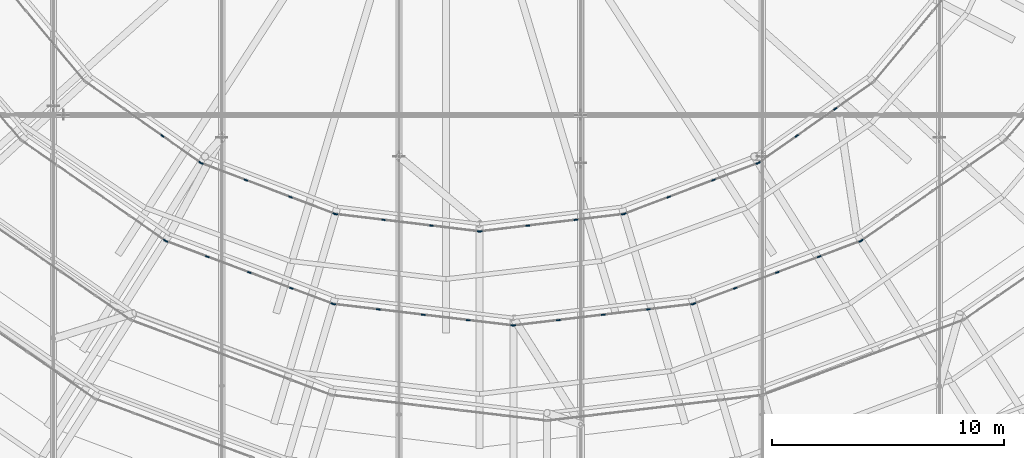
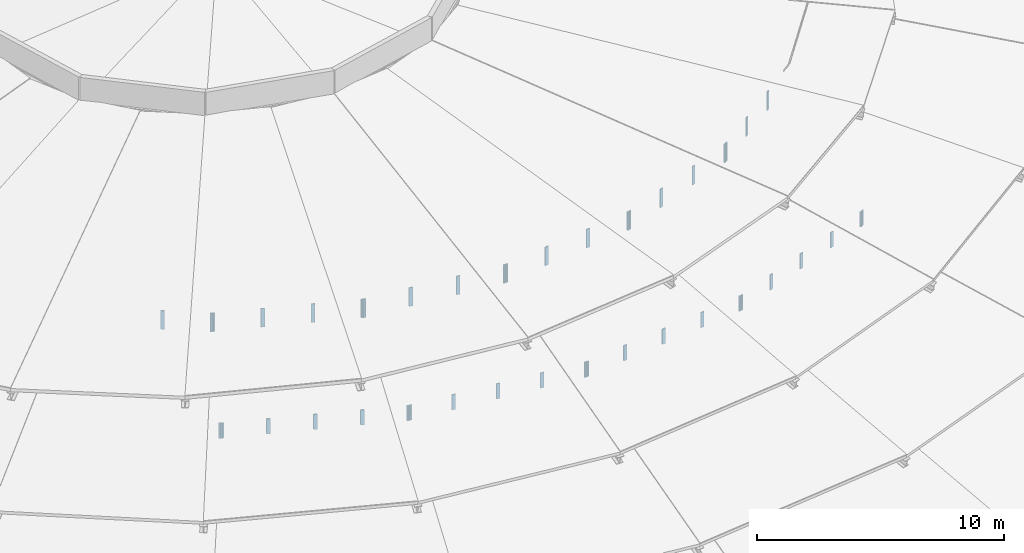
# One storey, part 127 of 173: 43 members, 12 elements without a shape of their own.
"""IFC4 building model written with IfcOpenShell, lengths in metres."""

from ifc_helpers import new_model, si_unit, direction, frame, origin, origin_2d, place, context, subcontext, project, spatial, rectangle, extrude, material, material_profile, profile_set, type_object, element, aggregate, save


model = new_model("IFC4")

# Units and contexts
model_context = context("Model", 3, precision=1e-05, world=origin(), true_north=direction((0.0, 1.0)))
body_context = subcontext(model_context, "Body", "Model", "MODEL_VIEW")
ifc_project = project(units=[si_unit("LENGTHUNIT", "METRE"), si_unit("AREAUNIT", "SQUARE_METRE"), si_unit("VOLUMEUNIT", "CUBIC_METRE"), si_unit("PLANEANGLEUNIT", "RADIAN"), si_unit("MASSUNIT", "GRAM", prefix="KILO")], contexts=[model_context])

# Site, building, storey
site_placement = place(None, origin())
site = spatial("IfcSite", under=ifc_project, at=site_placement, CompositionType="ELEMENT")
building_placement = place(site_placement, origin())
building = spatial("IfcBuilding", under=site, at=building_placement, Name="Glasvene Arena", CompositionType="ELEMENT")
storey_placement = place(building_placement, frame((0.0, 0.0, 28.800048828125)))
storey = spatial("IfcBuildingStorey", under=building, at=storey_placement, Name="RF", CompositionType="ELEMENT", Elevation=28.800048828125)

# Curtain wall, member
ifc_material_1 = material(Name="Low-emissivity laminated double glazing", Category="glass")
curtain_wall_type_1 = type_object("IfcCurtainWallType", Name="CW-PET3-756x75", PredefinedType="USERDEFINED", material=ifc_material_1)
curtain_wall_1_placement = place(storey_placement, frame((67.922119140625, 51.466796875, 0.0)))
curtain_wall_1 = element("IfcCurtainWall", 1, at=curtain_wall_1_placement, inside=storey, type_object=curtain_wall_type_1, Name="Petal ring 3-4 clerestory curtain wall 16", ObjectType="CURTAIN WALL", PredefinedType="USERDEFINED")
ifc_material_2 = material(Name="Anodised architectural aluminium", Category="aluminium")
ifc_material_profile = material_profile(ifc_material_2, rectangle(XDim=0.050048828125, YDim=0.159912109375, at=origin_2d()), Name="ALU MULLION 50x160")
ifc_profile_set = profile_set([ifc_material_profile], Name="Anodised architectural aluminium")
member_type = type_object("IfcMemberType", Name="CW-MUL-150", PredefinedType="MULLION", material=ifc_profile_set)
member_1_placement = place(storey_placement, frame((74.1044921875, 47.158447265625, 7.829833984375), z_axis=(0.0, 0.0, 1.0), x_axis=(0.571742483725, 0.82043313701, 0.0)))
member_1 = element("IfcMember", 2, at=member_1_placement, type_object=member_type, Name="CW-096 mullion 5", PredefinedType="MULLION", context=body_context, shape_type="SweptSolid", body=[
    extrude(rectangle(XDim=0.050048828125, YDim=0.159912109375, at=origin_2d()), origin(), (0.0, 0.0, 1.0), 0.75),
])
aggregate(curtain_wall_1, [member_1])

# Curtain wall, members
curtain_wall_type_2 = type_object("IfcCurtainWallType", Name="CW-PET3-772x75", PredefinedType="USERDEFINED", material=ifc_material_1)
curtain_wall_2_placement = place(storey_placement, frame((74.125, 47.14404296875, 0.0)))
curtain_wall_2 = element("IfcCurtainWall", 3, at=curtain_wall_2_placement, inside=storey, type_object=curtain_wall_type_2, Name="Petal ring 3-4 clerestory curtain wall 17", ObjectType="CURTAIN WALL", PredefinedType="USERDEFINED")
member_2_placement = place(storey_placement, frame((74.1484375, 47.13525390625, 7.829833984375), z_axis=(0.0, 0.0, 1.0), x_axis=(0.352091687007, 0.93596551429, 0.0)))
member_2 = element("IfcMember", 4, at=member_2_placement, type_object=member_type, Name="CW-097 mullion 1", PredefinedType="MULLION", context=body_context, shape_type="SweptSolid", body=[
    extrude(rectangle(XDim=0.050048828125, YDim=0.159912109375, at=origin_2d()), origin(), (0.0, 0.0, 1.0), 0.75),
])
member_3_placement = place(storey_placement, frame((75.930908203125, 46.46484375, 7.829833984375), z_axis=(0.0, 0.0, 1.0), x_axis=(0.352091687007, 0.93596551429, 0.0)))
member_3 = element("IfcMember", 5, at=member_3_placement, type_object=member_type, Name="CW-097 mullion 2", PredefinedType="MULLION", context=body_context, shape_type="SweptSolid", body=[
    extrude(rectangle(XDim=0.050048828125, YDim=0.159912109375, at=origin_2d()), origin(), (0.0, 0.0, 1.0), 0.75),
])
member_4_placement = place(storey_placement, frame((77.73681640625, 45.785400390625, 7.829833984375), z_axis=(0.0, 0.0, 1.0), x_axis=(0.352091687007, 0.93596551429, 0.0)))
member_4 = element("IfcMember", 6, at=member_4_placement, type_object=member_type, Name="CW-097 mullion 3", PredefinedType="MULLION", context=body_context, shape_type="SweptSolid", body=[
    extrude(rectangle(XDim=0.050048828125, YDim=0.159912109375, at=origin_2d()), origin(), (0.0, 0.0, 1.0), 0.75),
])
member_5_placement = place(storey_placement, frame((79.54248046875, 45.106201171875, 7.829833984375), z_axis=(0.0, 0.0, 1.0), x_axis=(0.352091687007, 0.93596551429, 0.0)))
member_5 = element("IfcMember", 7, at=member_5_placement, type_object=member_type, Name="CW-097 mullion 4", PredefinedType="MULLION", context=body_context, shape_type="SweptSolid", body=[
    extrude(rectangle(XDim=0.050048828125, YDim=0.159912109375, at=origin_2d()), origin(), (0.0, 0.0, 1.0), 0.75),
])
member_6_placement = place(storey_placement, frame((81.324951171875, 44.435546875, 7.829833984375), z_axis=(0.0, 0.0, 1.0), x_axis=(0.352091687007, 0.93596551429, 0.0)))
member_6 = element("IfcMember", 8, at=member_6_placement, type_object=member_type, Name="CW-097 mullion 5", PredefinedType="MULLION", context=body_context, shape_type="SweptSolid", body=[
    extrude(rectangle(XDim=0.050048828125, YDim=0.159912109375, at=origin_2d()), origin(), (0.0, 0.0, 1.0), 0.75),
])
aggregate(curtain_wall_2, [member_2, member_3, member_4, member_5, member_6])

curtain_wall_type_3 = type_object("IfcCurtainWallType", Name="CW-PET3-781x75", PredefinedType="USERDEFINED", material=ifc_material_1)
curtain_wall_3_placement = place(storey_placement, frame((81.348388671875, 44.4267578125, 0.0)))
curtain_wall_3 = element("IfcCurtainWall", 9, at=curtain_wall_3_placement, inside=storey, type_object=curtain_wall_type_3, Name="Petal ring 3-4 clerestory curtain wall 18", ObjectType="CURTAIN WALL", PredefinedType="USERDEFINED")
member_7_placement = place(storey_placement, frame((81.373291015625, 44.423828125, 7.829833984375), z_axis=(0.0, 0.0, 1.0), x_axis=(0.11871688488, 0.992928145056, 0.0)))
member_7 = element("IfcMember", 10, at=member_7_placement, type_object=member_type, Name="CW-098 mullion 1", PredefinedType="MULLION", context=body_context, shape_type="SweptSolid", body=[
    extrude(rectangle(XDim=0.050048828125, YDim=0.159912109375, at=origin_2d()), origin(), (0.0, 0.0, 1.0), 0.75),
])
member_8_placement = place(storey_placement, frame((83.286376953125, 44.195068359375, 7.829833984375), z_axis=(0.0, 0.0, 1.0), x_axis=(0.11871688488, 0.992928145056, 0.0)))
member_8 = element("IfcMember", 11, at=member_8_placement, type_object=member_type, Name="CW-098 mullion 2", PredefinedType="MULLION", context=body_context, shape_type="SweptSolid", body=[
    extrude(rectangle(XDim=0.050048828125, YDim=0.159912109375, at=origin_2d()), origin(), (0.0, 0.0, 1.0), 0.75),
])
member_9_placement = place(storey_placement, frame((85.22412109375, 43.96337890625, 7.829833984375), z_axis=(0.0, 0.0, 1.0), x_axis=(0.11871688488, 0.992928145056, 0.0)))
member_9 = element("IfcMember", 12, at=member_9_placement, type_object=member_type, Name="CW-098 mullion 3", PredefinedType="MULLION", context=body_context, shape_type="SweptSolid", body=[
    extrude(rectangle(XDim=0.050048828125, YDim=0.159912109375, at=origin_2d()), origin(), (0.0, 0.0, 1.0), 0.75),
])
member_10_placement = place(storey_placement, frame((87.162109375, 43.731689453125, 7.829833984375), z_axis=(0.0, 0.0, 1.0), x_axis=(0.11871688488, 0.992928145056, 0.0)))
member_10 = element("IfcMember", 13, at=member_10_placement, type_object=member_type, Name="CW-098 mullion 4", PredefinedType="MULLION", context=body_context, shape_type="SweptSolid", body=[
    extrude(rectangle(XDim=0.050048828125, YDim=0.159912109375, at=origin_2d()), origin(), (0.0, 0.0, 1.0), 0.75),
])
member_11_placement = place(storey_placement, frame((89.0751953125, 43.5029296875, 7.829833984375), z_axis=(0.0, 0.0, 1.0), x_axis=(0.11871688488, 0.992928145056, 0.0)))
member_11 = element("IfcMember", 14, at=member_11_placement, type_object=member_type, Name="CW-098 mullion 5", PredefinedType="MULLION", context=body_context, shape_type="SweptSolid", body=[
    extrude(rectangle(XDim=0.050048828125, YDim=0.159912109375, at=origin_2d()), origin(), (0.0, 0.0, 1.0), 0.75),
])
aggregate(curtain_wall_3, [member_7, member_8, member_9, member_10, member_11])

curtain_wall_4_placement = place(storey_placement, frame((89.10009765625, 43.5, 0.0)))
curtain_wall_4 = element("IfcCurtainWall", 15, at=curtain_wall_4_placement, inside=storey, type_object=curtain_wall_type_3, Name="Petal ring 3-4 clerestory curtain wall 19", ObjectType="CURTAIN WALL", PredefinedType="USERDEFINED")
member_12_placement = place(storey_placement, frame((89.124755859375, 43.5029296875, 7.829833984375), z_axis=(0.0, 0.0, 1.0), x_axis=(-0.11871688488, 0.992928145056, 0.0)))
member_12 = element("IfcMember", 16, at=member_12_placement, type_object=member_type, Name="CW-098 mullion 1", PredefinedType="MULLION", context=body_context, shape_type="SweptSolid", body=[
    extrude(rectangle(XDim=0.050048828125, YDim=0.159912109375, at=origin_2d()), origin(), (0.0, 0.0, 1.0), 0.75),
])
member_13_placement = place(storey_placement, frame((91.037841796875, 43.731689453125, 7.829833984375), z_axis=(0.0, 0.0, 1.0), x_axis=(-0.11871688488, 0.992928145056, 0.0)))
member_13 = element("IfcMember", 17, at=member_13_placement, type_object=member_type, Name="CW-098 mullion 2", PredefinedType="MULLION", context=body_context, shape_type="SweptSolid", body=[
    extrude(rectangle(XDim=0.050048828125, YDim=0.159912109375, at=origin_2d()), origin(), (0.0, 0.0, 1.0), 0.75),
])
member_14_placement = place(storey_placement, frame((92.975830078125, 43.96337890625, 7.829833984375), z_axis=(0.0, 0.0, 1.0), x_axis=(-0.11871688488, 0.992928145056, 0.0)))
member_14 = element("IfcMember", 18, at=member_14_placement, type_object=member_type, Name="CW-098 mullion 3", PredefinedType="MULLION", context=body_context, shape_type="SweptSolid", body=[
    extrude(rectangle(XDim=0.050048828125, YDim=0.159912109375, at=origin_2d()), origin(), (0.0, 0.0, 1.0), 0.75),
])
member_15_placement = place(storey_placement, frame((94.913818359375, 44.195068359375, 7.829833984375), z_axis=(0.0, 0.0, 1.0), x_axis=(-0.11871688488, 0.992928145056, 0.0)))
member_15 = element("IfcMember", 19, at=member_15_placement, type_object=member_type, Name="CW-098 mullion 4", PredefinedType="MULLION", context=body_context, shape_type="SweptSolid", body=[
    extrude(rectangle(XDim=0.050048828125, YDim=0.159912109375, at=origin_2d()), origin(), (0.0, 0.0, 1.0), 0.75),
])
member_16_placement = place(storey_placement, frame((96.82666015625, 44.423828125, 7.829833984375), z_axis=(0.0, 0.0, 1.0), x_axis=(-0.11871688488, 0.992928145056, 0.0)))
member_16 = element("IfcMember", 20, at=member_16_placement, type_object=member_type, Name="CW-098 mullion 5", PredefinedType="MULLION", context=body_context, shape_type="SweptSolid", body=[
    extrude(rectangle(XDim=0.050048828125, YDim=0.159912109375, at=origin_2d()), origin(), (0.0, 0.0, 1.0), 0.75),
])
aggregate(curtain_wall_4, [member_12, member_13, member_14, member_15, member_16])

curtain_wall_5_placement = place(storey_placement, frame((96.8515625, 44.4267578125, 0.0)))
curtain_wall_5 = element("IfcCurtainWall", 21, at=curtain_wall_5_placement, inside=storey, type_object=curtain_wall_type_2, Name="Petal ring 3-4 clerestory curtain wall 20", ObjectType="CURTAIN WALL", PredefinedType="USERDEFINED")
member_17_placement = place(storey_placement, frame((96.875, 44.435546875, 7.829833984375), z_axis=(0.0, 0.0, 1.0), x_axis=(-0.352091687007, 0.93596551429, 0.0)))
member_17 = element("IfcMember", 22, at=member_17_placement, type_object=member_type, Name="CW-097 mullion 1", PredefinedType="MULLION", context=body_context, shape_type="SweptSolid", body=[
    extrude(rectangle(XDim=0.050048828125, YDim=0.159912109375, at=origin_2d()), origin(), (0.0, 0.0, 1.0), 0.75),
])
member_18_placement = place(storey_placement, frame((98.657470703125, 45.106201171875, 7.829833984375), z_axis=(0.0, 0.0, 1.0), x_axis=(-0.352091687007, 0.93596551429, 0.0)))
member_18 = element("IfcMember", 23, at=member_18_placement, type_object=member_type, Name="CW-097 mullion 2", PredefinedType="MULLION", context=body_context, shape_type="SweptSolid", body=[
    extrude(rectangle(XDim=0.050048828125, YDim=0.159912109375, at=origin_2d()), origin(), (0.0, 0.0, 1.0), 0.75),
])
member_19_placement = place(storey_placement, frame((100.46337890625, 45.785400390625, 7.829833984375), z_axis=(0.0, 0.0, 1.0), x_axis=(-0.352091687007, 0.93596551429, 0.0)))
member_19 = element("IfcMember", 24, at=member_19_placement, type_object=member_type, Name="CW-097 mullion 3", PredefinedType="MULLION", context=body_context, shape_type="SweptSolid", body=[
    extrude(rectangle(XDim=0.050048828125, YDim=0.159912109375, at=origin_2d()), origin(), (0.0, 0.0, 1.0), 0.75),
])
member_20_placement = place(storey_placement, frame((102.26904296875, 46.46484375, 7.829833984375), z_axis=(0.0, 0.0, 1.0), x_axis=(-0.352091687007, 0.93596551429, 0.0)))
member_20 = element("IfcMember", 25, at=member_20_placement, type_object=member_type, Name="CW-097 mullion 4", PredefinedType="MULLION", context=body_context, shape_type="SweptSolid", body=[
    extrude(rectangle(XDim=0.050048828125, YDim=0.159912109375, at=origin_2d()), origin(), (0.0, 0.0, 1.0), 0.75),
])
member_21_placement = place(storey_placement, frame((104.051513671875, 47.13525390625, 7.829833984375), z_axis=(0.0, 0.0, 1.0), x_axis=(-0.352091687007, 0.93596551429, 0.0)))
member_21 = element("IfcMember", 26, at=member_21_placement, type_object=member_type, Name="CW-097 mullion 5", PredefinedType="MULLION", context=body_context, shape_type="SweptSolid", body=[
    extrude(rectangle(XDim=0.050048828125, YDim=0.159912109375, at=origin_2d()), origin(), (0.0, 0.0, 1.0), 0.75),
])
aggregate(curtain_wall_5, [member_17, member_18, member_19, member_20, member_21])

# Curtain wall, member
curtain_wall_6_placement = place(storey_placement, frame((104.074951171875, 47.14404296875, 0.0)))
curtain_wall_6 = element("IfcCurtainWall", 27, at=curtain_wall_6_placement, inside=storey, type_object=curtain_wall_type_1, Name="Petal ring 3-4 clerestory curtain wall 21", ObjectType="CURTAIN WALL", PredefinedType="USERDEFINED")
member_22_placement = place(storey_placement, frame((104.095458984375, 47.158447265625, 7.829833984375), z_axis=(0.0, 0.0, 1.0), x_axis=(-0.571742483725, 0.82043313701, 0.0)))
member_22 = element("IfcMember", 28, at=member_22_placement, type_object=member_type, Name="CW-096 mullion 1", PredefinedType="MULLION", context=body_context, shape_type="SweptSolid", body=[
    extrude(rectangle(XDim=0.050048828125, YDim=0.159912109375, at=origin_2d()), origin(), (0.0, 0.0, 1.0), 0.75),
])
aggregate(curtain_wall_6, [member_22])

# Curtain wall, members
curtain_wall_type_4 = type_object("IfcCurtainWallType", Name="CW-PET4-608x92", PredefinedType="USERDEFINED", material=ifc_material_1)
curtain_wall_7_placement = place(storey_placement, frame((70.679443359375, 53.99365234375, 0.0)))
curtain_wall_7 = element("IfcCurtainWall", 29, at=curtain_wall_7_placement, inside=storey, type_object=curtain_wall_type_4, Name="Petal ring 4-5 clerestory curtain wall 16", ObjectType="CURTAIN WALL", PredefinedType="USERDEFINED")
member_23_placement = place(storey_placement, frame((73.9931640625, 51.662841796875, 10.530029296875), z_axis=(0.0, 0.0, 1.0), x_axis=(0.575325052204, 0.817924864707, 0.0)))
member_23 = element("IfcMember", 30, at=member_23_placement, type_object=member_type, Name="CW-102 mullion 3", PredefinedType="MULLION", context=body_context, shape_type="SweptSolid", body=[
    extrude(rectangle(XDim=0.050048828125, YDim=0.159912109375, at=origin_2d()), origin(), (0.0, 0.0, 1.0), 0.916015625),
])
member_24_placement = place(storey_placement, frame((75.629638671875, 50.51171875, 10.530029296875), z_axis=(0.0, 0.0, 1.0), x_axis=(0.575325052204, 0.817924864707, 0.0)))
member_24 = element("IfcMember", 31, at=member_24_placement, type_object=member_type, Name="CW-102 mullion 4", PredefinedType="MULLION", context=body_context, shape_type="SweptSolid", body=[
    extrude(rectangle(XDim=0.050048828125, YDim=0.159912109375, at=origin_2d()), origin(), (0.0, 0.0, 1.0), 0.916015625),
])
aggregate(curtain_wall_7, [member_23, member_24])

curtain_wall_type_5 = type_object("IfcCurtainWallType", Name="CW-PET4-619x92", PredefinedType="USERDEFINED", material=ifc_material_1)
curtain_wall_8_placement = place(storey_placement, frame((75.64990234375, 50.497314453125, 0.0)))
curtain_wall_8 = element("IfcCurtainWall", 32, at=curtain_wall_8_placement, inside=storey, type_object=curtain_wall_type_5, Name="Petal ring 4-5 clerestory curtain wall 17", ObjectType="CURTAIN WALL", PredefinedType="USERDEFINED")
member_25_placement = place(storey_placement, frame((75.67333984375, 50.488525390625, 10.530029296875), z_axis=(0.0, 0.0, 1.0), x_axis=(0.354970202415, 0.934877615197, 0.0)))
member_25 = element("IfcMember", 33, at=member_25_placement, type_object=member_type, Name="CW-103 mullion 1", PredefinedType="MULLION", context=body_context, shape_type="SweptSolid", body=[
    extrude(rectangle(XDim=0.050048828125, YDim=0.159912109375, at=origin_2d()), origin(), (0.0, 0.0, 1.0), 0.916015625),
])
member_26_placement = place(storey_placement, frame((77.579345703125, 49.764892578125, 10.530029296875), z_axis=(0.0, 0.0, 1.0), x_axis=(0.354970202415, 0.934877615197, 0.0)))
member_26 = element("IfcMember", 34, at=member_26_placement, type_object=member_type, Name="CW-103 mullion 2", PredefinedType="MULLION", context=body_context, shape_type="SweptSolid", body=[
    extrude(rectangle(XDim=0.050048828125, YDim=0.159912109375, at=origin_2d()), origin(), (0.0, 0.0, 1.0), 0.916015625),
])
member_27_placement = place(storey_placement, frame((79.5087890625, 49.0322265625, 10.530029296875), z_axis=(0.0, 0.0, 1.0), x_axis=(0.354970202415, 0.934877615197, 0.0)))
member_27 = element("IfcMember", 35, at=member_27_placement, type_object=member_type, Name="CW-103 mullion 3", PredefinedType="MULLION", context=body_context, shape_type="SweptSolid", body=[
    extrude(rectangle(XDim=0.050048828125, YDim=0.159912109375, at=origin_2d()), origin(), (0.0, 0.0, 1.0), 0.916015625),
])
member_28_placement = place(storey_placement, frame((81.4150390625, 48.30859375, 10.530029296875), z_axis=(0.0, 0.0, 1.0), x_axis=(0.354970202415, 0.934877615197, 0.0)))
member_28 = element("IfcMember", 36, at=member_28_placement, type_object=member_type, Name="CW-103 mullion 4", PredefinedType="MULLION", context=body_context, shape_type="SweptSolid", body=[
    extrude(rectangle(XDim=0.050048828125, YDim=0.159912109375, at=origin_2d()), origin(), (0.0, 0.0, 1.0), 0.916015625),
])
aggregate(curtain_wall_8, [member_25, member_26, member_27, member_28])

curtain_wall_type_6 = type_object("IfcCurtainWallType", Name="CW-PET4-626x92", PredefinedType="USERDEFINED", material=ifc_material_1)
curtain_wall_9_placement = place(storey_placement, frame((81.438232421875, 48.299560546875, 0.0)))
curtain_wall_9 = element("IfcCurtainWall", 37, at=curtain_wall_9_placement, inside=storey, type_object=curtain_wall_type_6, Name="Petal ring 4-5 clerestory curtain wall 18", ObjectType="CURTAIN WALL", PredefinedType="USERDEFINED")
member_29_placement = place(storey_placement, frame((81.463134765625, 48.296630859375, 10.530029296875), z_axis=(0.0, 0.0, 1.0), x_axis=(0.119806308194, 0.992797284705, 0.0)))
member_29 = element("IfcMember", 38, at=member_29_placement, type_object=member_type, Name="CW-104 mullion 1", PredefinedType="MULLION", context=body_context, shape_type="SweptSolid", body=[
    extrude(rectangle(XDim=0.050048828125, YDim=0.159912109375, at=origin_2d()), origin(), (0.0, 0.0, 1.0), 0.916015625),
])
member_30_placement = place(storey_placement, frame((83.5087890625, 48.0498046875, 10.530029296875), z_axis=(0.0, 0.0, 1.0), x_axis=(0.119806308194, 0.992797284705, 0.0)))
member_30 = element("IfcMember", 39, at=member_30_placement, type_object=member_type, Name="CW-104 mullion 2", PredefinedType="MULLION", context=body_context, shape_type="SweptSolid", body=[
    extrude(rectangle(XDim=0.050048828125, YDim=0.159912109375, at=origin_2d()), origin(), (0.0, 0.0, 1.0), 0.916015625),
])
member_31_placement = place(storey_placement, frame((85.579345703125, 47.7998046875, 10.530029296875), z_axis=(0.0, 0.0, 1.0), x_axis=(0.119806308194, 0.992797284705, 0.0)))
member_31 = element("IfcMember", 40, at=member_31_placement, type_object=member_type, Name="CW-104 mullion 3", PredefinedType="MULLION", context=body_context, shape_type="SweptSolid", body=[
    extrude(rectangle(XDim=0.050048828125, YDim=0.159912109375, at=origin_2d()), origin(), (0.0, 0.0, 1.0), 0.916015625),
])
member_32_placement = place(storey_placement, frame((87.625244140625, 47.552978515625, 10.530029296875), z_axis=(0.0, 0.0, 1.0), x_axis=(0.119806308194, 0.992797284705, 0.0)))
member_32 = element("IfcMember", 41, at=member_32_placement, type_object=member_type, Name="CW-104 mullion 4", PredefinedType="MULLION", context=body_context, shape_type="SweptSolid", body=[
    extrude(rectangle(XDim=0.050048828125, YDim=0.159912109375, at=origin_2d()), origin(), (0.0, 0.0, 1.0), 0.916015625),
])
aggregate(curtain_wall_9, [member_29, member_30, member_31, member_32])

curtain_wall_10_placement = place(storey_placement, frame((87.64990234375, 47.550048828125, 0.0)))
curtain_wall_10 = element("IfcCurtainWall", 42, at=curtain_wall_10_placement, inside=storey, type_object=curtain_wall_type_6, Name="Petal ring 4-5 clerestory curtain wall 19", ObjectType="CURTAIN WALL", PredefinedType="USERDEFINED")
member_33_placement = place(storey_placement, frame((87.6748046875, 47.552978515625, 10.530029296875), z_axis=(0.0, 0.0, 1.0), x_axis=(-0.119806308194, 0.992797284705, 0.0)))
member_33 = element("IfcMember", 43, at=member_33_placement, type_object=member_type, Name="CW-104 mullion 1", PredefinedType="MULLION", context=body_context, shape_type="SweptSolid", body=[
    extrude(rectangle(XDim=0.050048828125, YDim=0.159912109375, at=origin_2d()), origin(), (0.0, 0.0, 1.0), 0.916015625),
])
member_34_placement = place(storey_placement, frame((89.720458984375, 47.7998046875, 10.530029296875), z_axis=(0.0, 0.0, 1.0), x_axis=(-0.119806308194, 0.992797284705, 0.0)))
member_34 = element("IfcMember", 44, at=member_34_placement, type_object=member_type, Name="CW-104 mullion 2", PredefinedType="MULLION", context=body_context, shape_type="SweptSolid", body=[
    extrude(rectangle(XDim=0.050048828125, YDim=0.159912109375, at=origin_2d()), origin(), (0.0, 0.0, 1.0), 0.916015625),
])
member_35_placement = place(storey_placement, frame((91.791015625, 48.0498046875, 10.530029296875), z_axis=(0.0, 0.0, 1.0), x_axis=(-0.119806308194, 0.992797284705, 0.0)))
member_35 = element("IfcMember", 45, at=member_35_placement, type_object=member_type, Name="CW-104 mullion 3", PredefinedType="MULLION", context=body_context, shape_type="SweptSolid", body=[
    extrude(rectangle(XDim=0.050048828125, YDim=0.159912109375, at=origin_2d()), origin(), (0.0, 0.0, 1.0), 0.916015625),
])
member_36_placement = place(storey_placement, frame((93.8369140625, 48.296630859375, 10.530029296875), z_axis=(0.0, 0.0, 1.0), x_axis=(-0.119806308194, 0.992797284705, 0.0)))
member_36 = element("IfcMember", 46, at=member_36_placement, type_object=member_type, Name="CW-104 mullion 4", PredefinedType="MULLION", context=body_context, shape_type="SweptSolid", body=[
    extrude(rectangle(XDim=0.050048828125, YDim=0.159912109375, at=origin_2d()), origin(), (0.0, 0.0, 1.0), 0.916015625),
])
aggregate(curtain_wall_10, [member_33, member_34, member_35, member_36])

curtain_wall_11_placement = place(storey_placement, frame((93.86181640625, 48.299560546875, 0.0)))
curtain_wall_11 = element("IfcCurtainWall", 47, at=curtain_wall_11_placement, inside=storey, type_object=curtain_wall_type_5, Name="Petal ring 4-5 clerestory curtain wall 20", ObjectType="CURTAIN WALL", PredefinedType="USERDEFINED")
member_37_placement = place(storey_placement, frame((93.885009765625, 48.30859375, 10.530029296875), z_axis=(0.0, 0.0, 1.0), x_axis=(-0.354970202415, 0.934877615197, 0.0)))
member_37 = element("IfcMember", 48, at=member_37_placement, type_object=member_type, Name="CW-103 mullion 1", PredefinedType="MULLION", context=body_context, shape_type="SweptSolid", body=[
    extrude(rectangle(XDim=0.050048828125, YDim=0.159912109375, at=origin_2d()), origin(), (0.0, 0.0, 1.0), 0.916015625),
])
member_38_placement = place(storey_placement, frame((95.791015625, 49.0322265625, 10.530029296875), z_axis=(0.0, 0.0, 1.0), x_axis=(-0.354970202415, 0.934877615197, 0.0)))
member_38 = element("IfcMember", 49, at=member_38_placement, type_object=member_type, Name="CW-103 mullion 2", PredefinedType="MULLION", context=body_context, shape_type="SweptSolid", body=[
    extrude(rectangle(XDim=0.050048828125, YDim=0.159912109375, at=origin_2d()), origin(), (0.0, 0.0, 1.0), 0.916015625),
])
member_39_placement = place(storey_placement, frame((97.720458984375, 49.764892578125, 10.530029296875), z_axis=(0.0, 0.0, 1.0), x_axis=(-0.354970202415, 0.934877615197, 0.0)))
member_39 = element("IfcMember", 50, at=member_39_placement, type_object=member_type, Name="CW-103 mullion 3", PredefinedType="MULLION", context=body_context, shape_type="SweptSolid", body=[
    extrude(rectangle(XDim=0.050048828125, YDim=0.159912109375, at=origin_2d()), origin(), (0.0, 0.0, 1.0), 0.916015625),
])
member_40_placement = place(storey_placement, frame((99.626708984375, 50.488525390625, 10.530029296875), z_axis=(0.0, 0.0, 1.0), x_axis=(-0.354970202415, 0.934877615197, 0.0)))
member_40 = element("IfcMember", 51, at=member_40_placement, type_object=member_type, Name="CW-103 mullion 4", PredefinedType="MULLION", context=body_context, shape_type="SweptSolid", body=[
    extrude(rectangle(XDim=0.050048828125, YDim=0.159912109375, at=origin_2d()), origin(), (0.0, 0.0, 1.0), 0.916015625),
])
aggregate(curtain_wall_11, [member_37, member_38, member_39, member_40])

curtain_wall_12_placement = place(storey_placement, frame((99.64990234375, 50.497314453125, 0.0)))
curtain_wall_12 = element("IfcCurtainWall", 52, at=curtain_wall_12_placement, inside=storey, type_object=curtain_wall_type_4, Name="Petal ring 4-5 clerestory curtain wall 21", ObjectType="CURTAIN WALL", PredefinedType="USERDEFINED")
member_41_placement = place(storey_placement, frame((99.67041015625, 50.51171875, 10.530029296875), z_axis=(0.0, 0.0, 1.0), x_axis=(-0.575325052204, 0.817924864707, 0.0)))
member_41 = element("IfcMember", 53, at=member_41_placement, type_object=member_type, Name="CW-102 mullion 1", PredefinedType="MULLION", context=body_context, shape_type="SweptSolid", body=[
    extrude(rectangle(XDim=0.050048828125, YDim=0.159912109375, at=origin_2d()), origin(), (0.0, 0.0, 1.0), 0.916015625),
])
member_42_placement = place(storey_placement, frame((101.306884765625, 51.662841796875, 10.530029296875), z_axis=(0.0, 0.0, 1.0), x_axis=(-0.575325052204, 0.817924864707, 0.0)))
member_42 = element("IfcMember", 54, at=member_42_placement, type_object=member_type, Name="CW-102 mullion 2", PredefinedType="MULLION", context=body_context, shape_type="SweptSolid", body=[
    extrude(rectangle(XDim=0.050048828125, YDim=0.159912109375, at=origin_2d()), origin(), (0.0, 0.0, 1.0), 0.916015625),
])
member_43_placement = place(storey_placement, frame((102.963623046875, 52.828369140625, 10.530029296875), z_axis=(0.0, 0.0, 1.0), x_axis=(-0.575325052204, 0.817924864707, 0.0)))
member_43 = element("IfcMember", 55, at=member_43_placement, type_object=member_type, Name="CW-102 mullion 3", PredefinedType="MULLION", context=body_context, shape_type="SweptSolid", body=[
    extrude(rectangle(XDim=0.050048828125, YDim=0.159912109375, at=origin_2d()), origin(), (0.0, 0.0, 1.0), 0.916015625),
])
aggregate(curtain_wall_12, [member_41, member_42, member_43])

save(model, "model.ifc")
